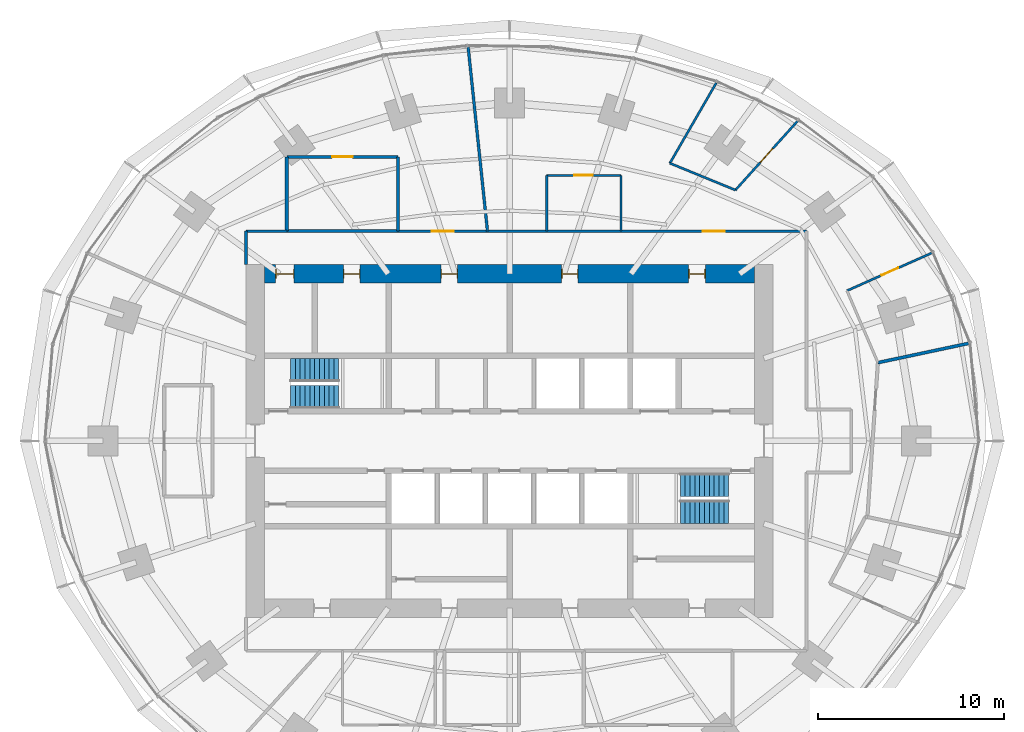
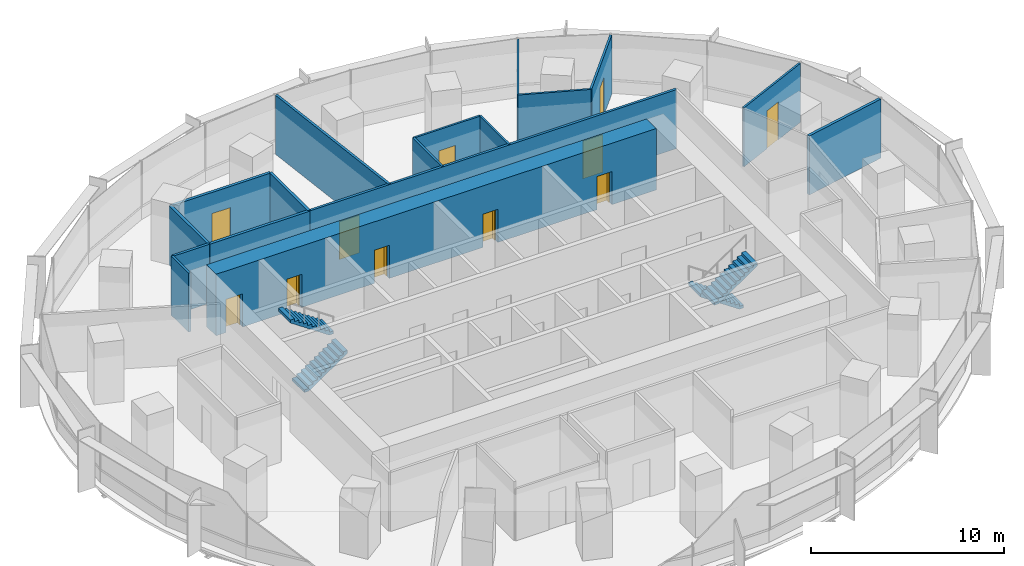
# One storey, part 12 of 14: 17 walls, 11 doors, 4 stair flights, 11 openings, 2 elements without a shape of their own.
"""IFC4 building model written with IfcOpenShell, lengths in metres."""

from ifc_helpers import new_model, si_unit, direction, frame, frame_2d, origin, place, context, subcontext, project, spatial, polyline, rectangle, outline, extrude, material, layer, layer_set, type_object, element, fill, aggregate, save


model = new_model("IFC4")

# Units and contexts
model_context = context("Model", 3, precision=1e-05, world=origin(), true_north=direction((0.0, 1.0)))
body_context = subcontext(model_context, "Body", "Model", "MODEL_VIEW")
ifc_project = project(units=[si_unit("LENGTHUNIT", "METRE"), si_unit("AREAUNIT", "SQUARE_METRE"), si_unit("VOLUMEUNIT", "CUBIC_METRE"), si_unit("PLANEANGLEUNIT", "RADIAN"), si_unit("MASSUNIT", "GRAM", prefix="KILO")], contexts=[model_context])

# Site, building, storey
site_placement = place(None, origin())
site = spatial("IfcSite", under=ifc_project, at=site_placement, CompositionType="ELEMENT")
building_placement = place(site_placement, origin())
building = spatial("IfcBuilding", under=site, at=building_placement, Name="Marramba Exchange Tower", CompositionType="ELEMENT")
storey_placement = place(building_placement, frame((0.0, 0.0, 127.5)))
storey = spatial("IfcBuildingStorey", under=building, at=storey_placement, Name="L30", CompositionType="ELEMENT", Elevation=127.5)

# Walls
ifc_material_1 = material(Name="Plasterboard on staggered double steel studs, acoustic insulation", Category="steel")
ifc_layer_1 = layer(ifc_material_1, 0.169921875)
ifc_layer_set_1 = layer_set([ifc_layer_1], Name="Acoustic partition 170")
wall_type_1 = type_object("IfcWallType", Name="Acoustic partition 170", PredefinedType="PARTITIONING", material=ifc_layer_set_1)
wall_1_placement = place(storey_placement, frame((24.73046875, 5.256591796875, 0.0), z_axis=(0.0, 0.0, 1.0), x_axis=(-0.978149046495, -0.207904888932, 0.0)))
element("IfcWall", 1, at=wall_1_placement, inside=storey, type_object=wall_type_1, Name="Acoustic partition L30 27", PredefinedType="PARTITIONING", context=body_context, shape_type="SweptSolid", body=[
    extrude(rectangle(XDim=5.000244140625, YDim=0.169921875, at=frame_2d((2.5, 0.0))), origin(), (0.0, 0.0, 1.0), 3.739990234375),
])
wall_2_placement = place(storey_placement, frame((-6.0, 11.300048828125, 0.0), z_axis=(0.0, 0.0, 1.0), x_axis=(0.0, 1.0, 0.0)))
element("IfcWall", 2, at=wall_2_placement, inside=storey, type_object=wall_type_1, Name="Acoustic partition L30 39", PredefinedType="PARTITIONING", context=body_context, shape_type="SweptSolid", body=[
    extrude(rectangle(XDim=4.0, YDim=0.169921875, at=frame_2d((2.0, 0.0))), origin(), (0.0, 0.0, 1.0), 3.739990234375),
])

# Wall, opening, door
wall_3_placement = place(storey_placement, frame((-6.0, 15.300048828125, 0.0), z_axis=(0.0, 0.0, 1.0), x_axis=(-1.0, 0.0, 0.0)))
wall_3 = element("IfcWall", 3, at=wall_3_placement, inside=storey, type_object=wall_type_1, Name="Acoustic partition L30 40", PredefinedType="PARTITIONING", context=body_context, shape_type="SweptSolid", body=[
    extrude(rectangle(XDim=6.0, YDim=0.169921875, at=frame_2d((3.0, 0.0))), origin(), (0.0, 0.0, 1.0), 3.739990234375),
])
opening_1_placement = place(wall_3_placement, frame((2.449951171875, 0.0, 0.0)))
opening_1 = element("IfcOpeningElement", 4, at=opening_1_placement, cuts=wall_3, Name="Opening D15", PredefinedType="OPENING", context=body_context, shape_type="SweptSolid", body=[
    extrude(rectangle(XDim=1.10009765625, YDim=2.39990234375, at=frame_2d((0.550048828125, 1.199951171875))), frame((0.0, 0.094970703125, 0.0), z_axis=(0.0, -1.0, 0.0), x_axis=(1.0, 0.0, 0.0)), (0.0, 0.0, 1.0), 0.18994140625),
])
ifc_material_2 = material(Name="Timber door", Category="wood")
door_type_1 = type_object("IfcDoorType", Name="Glazed meeting room door 1100x2400", OperationType="SINGLE_SWING_LEFT", PredefinedType="DOOR", material=ifc_material_2)
door_1_placement = place(opening_1_placement, origin())
door_1 = element("IfcDoor", 5, at=door_1_placement, inside=storey, type_object=door_type_1, Name="D15 Meeting Room 4 L30", OperationType="SINGLE_SWING_RIGHT", OverallHeight=2.39990234375, OverallWidth=1.10009765625, PredefinedType="DOOR", context=body_context, shape_type="SweptSolid", body=[
    extrude(rectangle(XDim=1.10009765625, YDim=2.39990234375, at=frame_2d((0.550048828125, 1.199951171875))), frame((0.0, 0.02490234375, 0.0), z_axis=(0.0, -1.0, 0.0), x_axis=(1.0, 0.0, 0.0)), (0.0, 0.0, 1.0), 0.050048828125),
])
fill(opening_1, door_1)

# Walls
wall_4_placement = place(storey_placement, frame((-12.0, 11.300048828125, 0.0), z_axis=(0.0, 0.0, 1.0), x_axis=(1.0, 0.0, 0.0)))
element("IfcWall", 6, at=wall_4_placement, inside=storey, type_object=wall_type_1, Name="Acoustic partition L30 41", PredefinedType="PARTITIONING", context=body_context, shape_type="SweptSolid", body=[
    extrude(rectangle(XDim=6.0, YDim=0.169921875, at=frame_2d((3.0, 0.0))), origin(), (0.0, 0.0, 1.0), 3.739990234375),
])
wall_5_placement = place(storey_placement, frame((-12.0, 15.300048828125, 0.0), z_axis=(0.0, 0.0, 1.0), x_axis=(0.0, -1.0, 0.0)))
element("IfcWall", 7, at=wall_5_placement, inside=storey, type_object=wall_type_1, Name="Acoustic partition L30 42", PredefinedType="PARTITIONING", context=body_context, shape_type="SweptSolid", body=[
    extrude(rectangle(XDim=4.0, YDim=0.169921875, at=frame_2d((2.0, 0.0))), origin(), (0.0, 0.0, 1.0), 3.739990234375),
])

# Wall, openings, doors
ifc_material_3 = material(Name="Concrete N50", Category="concrete")
ifc_layer_2 = layer(ifc_material_3, 1.0)
ifc_layer_set_2 = layer_set([ifc_layer_2], Name="Core wall 1000")
wall_type_2 = type_object("IfcWallType", Name="Core wall 1000", PredefinedType="SHEAR", material=ifc_layer_set_2)
wall_6_placement = place(storey_placement, frame((13.199951171875, 9.0, 0.0), z_axis=(0.0, 0.0, 1.0), x_axis=(-1.0, 0.0, 0.0)))
wall_6 = element("IfcWall", 8, at=wall_6_placement, inside=storey, type_object=wall_type_2, Name="Core wall N L30", PredefinedType="SHEAR", context=body_context, shape_type="SweptSolid", body=[
    extrude(rectangle(XDim=26.39990234375, YDim=1.0, at=frame_2d((13.199951171875, 0.0))), origin(), (0.0, 0.0, 1.0), 3.89990234375),
])
opening_2_placement = place(wall_6_placement, frame((2.64990234375, 0.0, 0.0)))
opening_2 = element("IfcOpeningElement", 9, at=opening_2_placement, cuts=wall_6, Name="Opening D5", PredefinedType="OPENING", context=body_context, shape_type="SweptSolid", body=[
    extrude(rectangle(XDim=0.89990234375, YDim=2.10009765625, at=frame_2d((0.449951171875, 1.050048828125))), frame((0.0, 0.510009765625, 0.0), z_axis=(0.0, -1.0, 0.0), x_axis=(1.0, 0.0, 0.0)), (0.0, 0.0, 1.0), 1.02001953125),
])
opening_3_placement = place(wall_6_placement, frame((9.5, 0.0, 0.0)))
opening_3 = element("IfcOpeningElement", 10, at=opening_3_placement, cuts=wall_6, Name="Opening D3", PredefinedType="OPENING", context=body_context, shape_type="SweptSolid", body=[
    extrude(rectangle(XDim=0.89990234375, YDim=2.10009765625, at=frame_2d((0.449951171875, 1.050048828125))), frame((0.0, 0.510009765625, 0.0), z_axis=(0.0, -1.0, 0.0), x_axis=(1.0, 0.0, 0.0)), (0.0, 0.0, 1.0), 1.02001953125),
])
opening_4_placement = place(wall_6_placement, frame((16.0, 0.0, 0.0)))
opening_4 = element("IfcOpeningElement", 11, at=opening_4_placement, cuts=wall_6, Name="Opening D3", PredefinedType="OPENING", context=body_context, shape_type="SweptSolid", body=[
    extrude(rectangle(XDim=0.89990234375, YDim=2.10009765625, at=frame_2d((0.449951171875, 1.050048828125))), frame((0.0, 0.510009765625, 0.0), z_axis=(0.0, -1.0, 0.0), x_axis=(1.0, 0.0, 0.0)), (0.0, 0.0, 1.0), 1.02001953125),
])
opening_5_placement = place(wall_6_placement, frame((21.25, 0.0, 0.0)))
opening_5 = element("IfcOpeningElement", 12, at=opening_5_placement, cuts=wall_6, Name="Opening D5", PredefinedType="OPENING", context=body_context, shape_type="SweptSolid", body=[
    extrude(rectangle(XDim=0.89990234375, YDim=2.10009765625, at=frame_2d((0.449951171875, 1.050048828125))), frame((0.0, 0.510009765625, 0.0), z_axis=(0.0, -1.0, 0.0), x_axis=(1.0, 0.0, 0.0)), (0.0, 0.0, 1.0), 1.02001953125),
])
opening_6_placement = place(wall_6_placement, frame((24.800048828125, 0.0, 0.0)))
opening_6 = element("IfcOpeningElement", 13, at=opening_6_placement, cuts=wall_6, Name="Opening D4", PredefinedType="OPENING", context=body_context, shape_type="SweptSolid", body=[
    extrude(rectangle(XDim=1.0, YDim=2.10009765625, at=frame_2d((0.5, 1.050048828125))), frame((0.0, 0.510009765625, 0.0), z_axis=(0.0, -1.0, 0.0), x_axis=(1.0, 0.0, 0.0)), (0.0, 0.0, 1.0), 1.02001953125),
])
ifc_material_4 = material(Name="Steel-framed door", Category="steel")
door_type_2 = type_object("IfcDoorType", Name="Accessible toilet door 1000x2100", OperationType="SINGLE_SWING_LEFT", PredefinedType="DOOR", material=ifc_material_4)
door_2_placement = place(opening_6_placement, origin())
door_2 = element("IfcDoor", 14, at=door_2_placement, inside=storey, type_object=door_type_2, Name="D4 awc L30", OperationType="SINGLE_SWING_RIGHT", OverallHeight=2.10009765625, OverallWidth=1.0, PredefinedType="DOOR", context=body_context, shape_type="SweptSolid", body=[
    extrude(rectangle(XDim=0.919921875, YDim=2.06005859375, at=frame_2d((0.5, 1.030029296875))), frame((0.0, 0.02490234375, 0.0), z_axis=(0.0, -1.0, 0.0), x_axis=(1.0, 0.0, 0.0)), (0.0, 0.0, 1.0), 0.050048828125),
    extrude(rectangle(XDim=0.04, YDim=2.10009765625, at=frame_2d((0.02001953125, 1.050048828125))), frame((0.0, 0.25, 0.0), z_axis=(0.0, -1.0, 0.0), x_axis=(1.0, 0.0, 0.0)), (0.0, 0.0, 1.0), 0.5),
    extrude(rectangle(XDim=0.04, YDim=2.10009765625, at=frame_2d((0.97998046875, 1.050048828125))), frame((0.0, 0.25, 0.0), z_axis=(0.0, -1.0, 0.0), x_axis=(1.0, 0.0, 0.0)), (0.0, 0.0, 1.0), 0.5),
    extrude(rectangle(XDim=0.919921875, YDim=0.04, at=frame_2d((0.5, 2.080078125))), frame((0.0, 0.25, 0.0), z_axis=(0.0, -1.0, 0.0), x_axis=(1.0, 0.0, 0.0)), (0.0, 0.0, 1.0), 0.5),
])
fill(opening_6, door_2)
door_type_3 = type_object("IfcDoorType", Name="Service door 900x2100", OperationType="SINGLE_SWING_LEFT", PredefinedType="DOOR", material=ifc_material_4)
door_3_placement = place(opening_2_placement, origin())
door_3 = element("IfcDoor", 15, at=door_3_placement, inside=storey, type_object=door_type_3, Name="D5 comms L30", OperationType="SINGLE_SWING_LEFT", OverallHeight=2.10009765625, OverallWidth=0.89990234375, PredefinedType="DOOR", context=body_context, shape_type="SweptSolid", body=[
    extrude(rectangle(XDim=0.81982421875, YDim=2.06005859375, at=frame_2d((0.449951171875, 1.030029296875))), frame((0.0, 0.02490234375, 0.0), z_axis=(0.0, -1.0, 0.0), x_axis=(1.0, 0.0, 0.0)), (0.0, 0.0, 1.0), 0.050048828125),
    extrude(rectangle(XDim=0.04, YDim=2.10009765625, at=frame_2d((0.02001953125, 1.050048828125))), frame((0.0, 0.25, 0.0), z_axis=(0.0, -1.0, 0.0), x_axis=(1.0, 0.0, 0.0)), (0.0, 0.0, 1.0), 0.5),
    extrude(rectangle(XDim=0.04, YDim=2.10009765625, at=frame_2d((0.8798828125, 1.050048828125))), frame((0.0, 0.25, 0.0), z_axis=(0.0, -1.0, 0.0), x_axis=(1.0, 0.0, 0.0)), (0.0, 0.0, 1.0), 0.5),
    extrude(rectangle(XDim=0.81982421875, YDim=0.04, at=frame_2d((0.449951171875, 2.080078125))), frame((0.0, 0.25, 0.0), z_axis=(0.0, -1.0, 0.0), x_axis=(1.0, 0.0, 0.0)), (0.0, 0.0, 1.0), 0.5),
])
fill(opening_2, door_3)
door_4_placement = place(opening_5_placement, origin())
door_4 = element("IfcDoor", 16, at=door_4_placement, inside=storey, type_object=door_type_3, Name="D5 cleaner L30", OperationType="SINGLE_SWING_RIGHT", OverallHeight=2.10009765625, OverallWidth=0.89990234375, PredefinedType="DOOR", context=body_context, shape_type="SweptSolid", body=[
    extrude(rectangle(XDim=0.81982421875, YDim=2.06005859375, at=frame_2d((0.449951171875, 1.030029296875))), frame((0.0, 0.02490234375, 0.0), z_axis=(0.0, -1.0, 0.0), x_axis=(1.0, 0.0, 0.0)), (0.0, 0.0, 1.0), 0.050048828125),
    extrude(rectangle(XDim=0.04, YDim=2.10009765625, at=frame_2d((0.02001953125, 1.050048828125))), frame((0.0, 0.25, 0.0), z_axis=(0.0, -1.0, 0.0), x_axis=(1.0, 0.0, 0.0)), (0.0, 0.0, 1.0), 0.5),
    extrude(rectangle(XDim=0.04, YDim=2.10009765625, at=frame_2d((0.8798828125, 1.050048828125))), frame((0.0, 0.25, 0.0), z_axis=(0.0, -1.0, 0.0), x_axis=(1.0, 0.0, 0.0)), (0.0, 0.0, 1.0), 0.5),
    extrude(rectangle(XDim=0.81982421875, YDim=0.04, at=frame_2d((0.449951171875, 2.080078125))), frame((0.0, 0.25, 0.0), z_axis=(0.0, -1.0, 0.0), x_axis=(1.0, 0.0, 0.0)), (0.0, 0.0, 1.0), 0.5),
])
fill(opening_5, door_4)
door_type_4 = type_object("IfcDoorType", Name="Toilet door 900x2100", OperationType="SINGLE_SWING_LEFT", PredefinedType="DOOR", material=ifc_material_4)
door_5_placement = place(opening_3_placement, origin())
door_5 = element("IfcDoor", 17, at=door_5_placement, inside=storey, type_object=door_type_4, Name="D3 wc-f L30", OperationType="SINGLE_SWING_RIGHT", OverallHeight=2.10009765625, OverallWidth=0.89990234375, PredefinedType="DOOR", context=body_context, shape_type="SweptSolid", body=[
    extrude(rectangle(XDim=0.81982421875, YDim=2.06005859375, at=frame_2d((0.449951171875, 1.030029296875))), frame((0.0, 0.02490234375, 0.0), z_axis=(0.0, -1.0, 0.0), x_axis=(1.0, 0.0, 0.0)), (0.0, 0.0, 1.0), 0.050048828125),
    extrude(rectangle(XDim=0.04, YDim=2.10009765625, at=frame_2d((0.02001953125, 1.050048828125))), frame((0.0, 0.25, 0.0), z_axis=(0.0, -1.0, 0.0), x_axis=(1.0, 0.0, 0.0)), (0.0, 0.0, 1.0), 0.5),
    extrude(rectangle(XDim=0.04, YDim=2.10009765625, at=frame_2d((0.8798828125, 1.050048828125))), frame((0.0, 0.25, 0.0), z_axis=(0.0, -1.0, 0.0), x_axis=(1.0, 0.0, 0.0)), (0.0, 0.0, 1.0), 0.5),
    extrude(rectangle(XDim=0.81982421875, YDim=0.04, at=frame_2d((0.449951171875, 2.080078125))), frame((0.0, 0.25, 0.0), z_axis=(0.0, -1.0, 0.0), x_axis=(1.0, 0.0, 0.0)), (0.0, 0.0, 1.0), 0.5),
])
fill(opening_3, door_5)
door_6_placement = place(opening_4_placement, origin())
door_6 = element("IfcDoor", 18, at=door_6_placement, inside=storey, type_object=door_type_4, Name="D3 wc-m L30", OperationType="SINGLE_SWING_RIGHT", OverallHeight=2.10009765625, OverallWidth=0.89990234375, PredefinedType="DOOR", context=body_context, shape_type="SweptSolid", body=[
    extrude(rectangle(XDim=0.81982421875, YDim=2.06005859375, at=frame_2d((0.449951171875, 1.030029296875))), frame((0.0, 0.02490234375, 0.0), z_axis=(0.0, -1.0, 0.0), x_axis=(1.0, 0.0, 0.0)), (0.0, 0.0, 1.0), 0.050048828125),
    extrude(rectangle(XDim=0.04, YDim=2.10009765625, at=frame_2d((0.02001953125, 1.050048828125))), frame((0.0, 0.25, 0.0), z_axis=(0.0, -1.0, 0.0), x_axis=(1.0, 0.0, 0.0)), (0.0, 0.0, 1.0), 0.5),
    extrude(rectangle(XDim=0.04, YDim=2.10009765625, at=frame_2d((0.8798828125, 1.050048828125))), frame((0.0, 0.25, 0.0), z_axis=(0.0, -1.0, 0.0), x_axis=(1.0, 0.0, 0.0)), (0.0, 0.0, 1.0), 0.5),
    extrude(rectangle(XDim=0.81982421875, YDim=0.04, at=frame_2d((0.449951171875, 2.080078125))), frame((0.0, 0.25, 0.0), z_axis=(0.0, -1.0, 0.0), x_axis=(1.0, 0.0, 0.0)), (0.0, 0.0, 1.0), 0.5),
])
fill(opening_4, door_6)

# Wall, opening, door
ifc_material_5 = material(Name="Plasterboard on steel studs", Category="steel")
ifc_layer_3 = layer(ifc_material_5, 0.1201171875)
ifc_layer_set_3 = layer_set([ifc_layer_3], Name="Partition 120")
wall_type_3 = type_object("IfcWallType", Name="Partition 120", PredefinedType="PARTITIONING", material=ifc_layer_set_3)
wall_7_placement = place(storey_placement, frame((22.7421875, 10.12548828125, 0.0), z_axis=(0.0, 0.0, 1.0), x_axis=(-0.913541529049, -0.406745466726, 0.0)))
wall_7 = element("IfcWall", 19, at=wall_7_placement, inside=storey, type_object=wall_type_3, Name="Partition L30 30", PredefinedType="PARTITIONING", context=body_context, shape_type="SweptSolid", body=[
    extrude(rectangle(XDim=5.0, YDim=0.1201171875, at=frame_2d((2.5, 0.0))), origin(), (0.0, 0.0, 1.0), 3.739990234375),
])
opening_7_placement = place(wall_7_placement, frame((1.97509765625, 0.0, 0.0)))
opening_7 = element("IfcOpeningElement", 20, at=opening_7_placement, cuts=wall_7, Name="Opening D9", PredefinedType="OPENING", context=body_context, shape_type="SweptSolid", body=[
    extrude(rectangle(XDim=1.0, YDim=2.39990234375, at=frame_2d((0.5, 1.199951171875))), frame((0.0, 0.070068359375, 0.0), z_axis=(0.0, -1.0, 0.0), x_axis=(1.0, 0.0, 0.0)), (0.0, 0.0, 1.0), 0.14013671875),
])
door_type_5 = type_object("IfcDoorType", Name="Room door 1000x2400", OperationType="SINGLE_SWING_LEFT", PredefinedType="DOOR", material=ifc_material_2)
door_7_placement = place(opening_7_placement, origin())
door_7 = element("IfcDoor", 21, at=door_7_placement, inside=storey, type_object=door_type_5, Name="D9 Office 1 L30", OperationType="SINGLE_SWING_RIGHT", OverallHeight=2.39990234375, OverallWidth=1.0, PredefinedType="DOOR", context=body_context, shape_type="SweptSolid", body=[
    extrude(rectangle(XDim=1.0, YDim=2.39990234375, at=frame_2d((0.5, 1.199951171875))), frame((0.0, 0.02490234375, 0.0), z_axis=(0.0, -1.0, 0.0), x_axis=(1.0, 0.0, 0.0)), (0.0, 0.0, 1.0), 0.050048828125),
])
fill(opening_7, door_7)

wall_8_placement = place(storey_placement, frame((12.166748046875, 13.512451171875, 0.0), z_axis=(0.0, 0.0, 1.0), x_axis=(0.669126573551, 0.743148456614, 0.0)))
wall_8 = element("IfcWall", 22, at=wall_8_placement, inside=storey, type_object=wall_type_3, Name="Partition L30 31", PredefinedType="PARTITIONING", context=body_context, shape_type="SweptSolid", body=[
    extrude(rectangle(XDim=5.0, YDim=0.1201171875, at=frame_2d((2.5, 0.0))), origin(), (0.0, 0.0, 1.0), 3.739990234375),
])
opening_8_placement = place(wall_8_placement, frame((2.0, 0.0, 0.0)))
opening_8 = element("IfcOpeningElement", 23, at=opening_8_placement, cuts=wall_8, Name="Opening D9", PredefinedType="OPENING", context=body_context, shape_type="SweptSolid", body=[
    extrude(rectangle(XDim=1.0, YDim=2.39990234375, at=frame_2d((0.5, 1.199951171875))), frame((0.0, 0.070068359375, 0.0), z_axis=(0.0, -1.0, 0.0), x_axis=(1.0, 0.0, 0.0)), (0.0, 0.0, 1.0), 0.14013671875),
])
door_8_placement = place(opening_8_placement, origin())
door_8 = element("IfcDoor", 24, at=door_8_placement, inside=storey, type_object=door_type_5, Name="D9 Office 2 L30", OperationType="SINGLE_SWING_RIGHT", OverallHeight=2.39990234375, OverallWidth=1.0, PredefinedType="DOOR", context=body_context, shape_type="SweptSolid", body=[
    extrude(rectangle(XDim=1.0, YDim=2.39990234375, at=frame_2d((0.5, 1.199951171875))), frame((0.0, 0.02490234375, 0.0), z_axis=(0.0, -1.0, 0.0), x_axis=(1.0, 0.0, 0.0)), (0.0, 0.0, 1.0), 0.050048828125),
])
fill(opening_8, door_8)

# Walls
wall_9_placement = place(storey_placement, frame((8.63671875, 14.958984375, 0.0), z_axis=(0.0, 0.0, 1.0), x_axis=(0.925323544258, -0.379178504719, 0.0)))
element("IfcWall", 25, at=wall_9_placement, inside=storey, type_object=wall_type_3, Name="Partition L30 32", PredefinedType="PARTITIONING", context=body_context, shape_type="SweptSolid", body=[
    extrude(rectangle(XDim=3.81494140625, YDim=0.1201171875, at=frame_2d((1.907470703125, 0.0))), origin(), (0.0, 0.0, 1.0), 3.739990234375),
])
wall_10_placement = place(storey_placement, frame((11.13671875, 19.289306640625, 0.0), z_axis=(0.0, 0.0, 1.0), x_axis=(-0.499983091616, -0.866035165624, 0.0)))
element("IfcWall", 26, at=wall_10_placement, inside=storey, type_object=wall_type_3, Name="Partition L30 33", PredefinedType="PARTITIONING", context=body_context, shape_type="SweptSolid", body=[
    extrude(rectangle(XDim=5.000244140625, YDim=0.1201171875, at=frame_2d((2.5, 0.0))), origin(), (0.0, 0.0, 1.0), 3.739990234375),
])
wall_11_placement = place(storey_placement, frame((6.0, 11.300048828125, 0.0), z_axis=(0.0, 0.0, 1.0), x_axis=(0.0, 1.0, 0.0)))
element("IfcWall", 27, at=wall_11_placement, inside=storey, type_object=wall_type_3, Name="Partition L30 34", PredefinedType="PARTITIONING", context=body_context, shape_type="SweptSolid", body=[
    extrude(rectangle(XDim=3.0, YDim=0.1201171875, at=frame_2d((1.5, 0.0))), origin(), (0.0, 0.0, 1.0), 3.739990234375),
])

# Wall, opening, door
wall_12_placement = place(storey_placement, frame((6.0, 14.300048828125, 0.0), z_axis=(0.0, 0.0, 1.0), x_axis=(-1.0, 0.0, 0.0)))
wall_12 = element("IfcWall", 28, at=wall_12_placement, inside=storey, type_object=wall_type_3, Name="Partition L30 36", PredefinedType="PARTITIONING", context=body_context, shape_type="SweptSolid", body=[
    extrude(rectangle(XDim=4.0, YDim=0.1201171875, at=frame_2d((2.0, 0.0))), origin(), (0.0, 0.0, 1.0), 3.739990234375),
])
opening_9_placement = place(wall_12_placement, frame((1.52587890625, 0.0, 0.0)))
opening_9 = element("IfcOpeningElement", 29, at=opening_9_placement, cuts=wall_12, Name="Opening D9", PredefinedType="OPENING", context=body_context, shape_type="SweptSolid", body=[
    extrude(rectangle(XDim=1.0, YDim=2.39990234375, at=frame_2d((0.5, 1.199951171875))), frame((0.0, 0.070068359375, 0.0), z_axis=(0.0, -1.0, 0.0), x_axis=(1.0, 0.0, 0.0)), (0.0, 0.0, 1.0), 0.14013671875),
])
door_9_placement = place(opening_9_placement, origin())
door_9 = element("IfcDoor", 30, at=door_9_placement, inside=storey, type_object=door_type_5, Name="D9 Tea Point L30", OperationType="SINGLE_SWING_RIGHT", OverallHeight=2.39990234375, OverallWidth=1.0, PredefinedType="DOOR", context=body_context, shape_type="SweptSolid", body=[
    extrude(rectangle(XDim=1.0, YDim=2.39990234375, at=frame_2d((0.5, 1.199951171875))), frame((0.0, 0.02490234375, 0.0), z_axis=(0.0, -1.0, 0.0), x_axis=(1.0, 0.0, 0.0)), (0.0, 0.0, 1.0), 0.050048828125),
])
fill(opening_9, door_9)

# Wall
wall_13_placement = place(storey_placement, frame((2.0, 14.300048828125, 0.0), z_axis=(0.0, 0.0, 1.0), x_axis=(0.0, -1.0, 0.0)))
element("IfcWall", 31, at=wall_13_placement, inside=storey, type_object=wall_type_3, Name="Partition L30 37", PredefinedType="PARTITIONING", context=body_context, shape_type="SweptSolid", body=[
    extrude(rectangle(XDim=3.0, YDim=0.1201171875, at=frame_2d((1.5, 0.0))), origin(), (0.0, 0.0, 1.0), 3.739990234375),
])

# Wall, openings, doors
ifc_material_6 = material(Name="Fire-rated plasterboard on steel studs, acoustic insulation", Category="steel")
ifc_layer_4 = layer(ifc_material_6, 0.14990234375)
ifc_layer_set_4 = layer_set([ifc_layer_4], Name="Tenancy wall 150")
wall_type_4 = type_object("IfcWallType", Name="Tenancy wall 150", PredefinedType="PARTITIONING", material=ifc_layer_set_4)
wall_14_placement = place(storey_placement, frame((16.0, 11.300048828125, 0.0), z_axis=(0.0, 0.0, 1.0), x_axis=(-1.0, 0.0, 0.0)))
wall_14 = element("IfcWall", 32, at=wall_14_placement, inside=storey, type_object=wall_type_4, Name="Tenancy wall L30 35", PredefinedType="PARTITIONING", context=body_context, shape_type="SweptSolid", body=[
    extrude(rectangle(XDim=22.0, YDim=0.14990234375, at=frame_2d((11.0, 0.0))), origin(), (0.0, 0.0, 1.0), 3.739990234375),
])
opening_10_placement = place(wall_14_placement, frame((4.39990234375, 0.0, 0.0)))
opening_10 = element("IfcOpeningElement", 33, at=opening_10_placement, cuts=wall_14, Name="Opening D13", PredefinedType="OPENING", context=body_context, shape_type="SweptSolid", body=[
    extrude(rectangle(XDim=1.199951171875, YDim=2.39990234375, at=frame_2d((0.60009765625, 1.199951171875))), frame((0.0, 0.0849609375, 0.0), z_axis=(0.0, -1.0, 0.0), x_axis=(1.0, 0.0, 0.0)), (0.0, 0.0, 1.0), 0.169921875),
])
opening_11_placement = place(wall_14_placement, frame((18.993896484375, 0.0, 0.0)))
opening_11 = element("IfcOpeningElement", 34, at=opening_11_placement, cuts=wall_14, Name="Opening D13", PredefinedType="OPENING", context=body_context, shape_type="SweptSolid", body=[
    extrude(rectangle(XDim=1.199951171875, YDim=2.39990234375, at=frame_2d((0.60009765625, 1.199951171875))), frame((0.0, 0.0849609375, 0.0), z_axis=(0.0, -1.0, 0.0), x_axis=(1.0, 0.0, 0.0)), (0.0, 0.0, 1.0), 0.169921875),
])
door_type_6 = type_object("IfcDoorType", Name="Tenancy entry door 1200x2400", OperationType="SINGLE_SWING_LEFT", PredefinedType="DOOR", material=ifc_material_4)
door_10_placement = place(opening_10_placement, origin())
door_10 = element("IfcDoor", 35, at=door_10_placement, inside=storey, type_object=door_type_6, Name="D13 Office 1 L30", OperationType="SINGLE_SWING_LEFT", OverallHeight=2.39990234375, OverallWidth=1.199951171875, PredefinedType="DOOR", context=body_context, shape_type="SweptSolid", body=[
    extrude(rectangle(XDim=1.199951171875, YDim=2.39990234375, at=frame_2d((0.60009765625, 1.199951171875))), frame((0.0, 0.02490234375, 0.0), z_axis=(0.0, -1.0, 0.0), x_axis=(1.0, 0.0, 0.0)), (0.0, 0.0, 1.0), 0.050048828125),
])
fill(opening_10, door_10)
door_11_placement = place(opening_11_placement, origin())
door_11 = element("IfcDoor", 36, at=door_11_placement, inside=storey, type_object=door_type_6, Name="D13 Office 2 L30", OperationType="SINGLE_SWING_RIGHT", OverallHeight=2.39990234375, OverallWidth=1.199951171875, PredefinedType="DOOR", context=body_context, shape_type="SweptSolid", body=[
    extrude(rectangle(XDim=1.199951171875, YDim=2.39990234375, at=frame_2d((0.60009765625, 1.199951171875))), frame((0.0, 0.02490234375, 0.0), z_axis=(0.0, -1.0, 0.0), x_axis=(1.0, 0.0, 0.0)), (0.0, 0.0, 1.0), 0.050048828125),
])
fill(opening_11, door_11)

# Walls
wall_15_placement = place(storey_placement, frame((-1.187744140625, 11.300048828125, 0.0), z_axis=(0.0, 0.0, 1.0), x_axis=(-0.104522843542, 0.994522486009, 0.0)))
element("IfcWall", 37, at=wall_15_placement, inside=storey, type_object=wall_type_4, Name="Tenancy wall L30 38", PredefinedType="PARTITIONING", context=body_context, shape_type="SweptSolid", body=[
    extrude(rectangle(XDim=9.966796875, YDim=0.14990234375, at=frame_2d((4.9833984375, 0.0))), origin(), (0.0, 0.0, 1.0), 3.739990234375),
])
wall_16_placement = place(storey_placement, frame((-12.0, 11.300048828125, 0.0), z_axis=(0.0, 0.0, 1.0), x_axis=(-1.0, 0.0, 0.0)))
element("IfcWall", 38, at=wall_16_placement, inside=storey, type_object=wall_type_4, Name="Tenancy wall L30 43", PredefinedType="PARTITIONING", context=body_context, shape_type="SweptSolid", body=[
    extrude(rectangle(XDim=2.199951171875, YDim=0.14990234375, at=frame_2d((1.10009765625, 0.0))), origin(), (0.0, 0.0, 1.0), 3.739990234375),
])
wall_17_placement = place(storey_placement, frame((-14.199951171875, 11.300048828125, 0.0), z_axis=(0.0, 0.0, 1.0), x_axis=(0.0, -1.0, 0.0)))
element("IfcWall", 39, at=wall_17_placement, inside=storey, type_object=wall_type_4, Name="Tenancy wall L30 44", PredefinedType="PARTITIONING", context=body_context, shape_type="SweptSolid", body=[
    extrude(rectangle(XDim=1.800048828125, YDim=0.14990234375, at=frame_2d((0.89990234375, 0.0))), origin(), (0.0, 0.0, 1.0), 3.739990234375),
])

# Stair, stair flights
ifc_material_7 = material(Name="Concrete N40 (40 MPa)", Category="concrete")
stair_type_1 = type_object("IfcStairType", Name="Exit stair ST1 3900 x 1250", PredefinedType="HALF_TURN_STAIR", material=ifc_material_7)
stair_1_placement = place(storey_placement, origin())
stair_1 = element("IfcStair", 40, at=stair_1_placement, inside=storey, type_object=stair_type_1, Name="Exit stair ST1 L30", PredefinedType="HALF_TURN_STAIR")
stair_flight_type_1 = type_object("IfcStairFlightType", Name="ST1 stair flight 1773 riser 1250 wide", PredefinedType="STRAIGHT", material=ifc_material_7)
stair_flight_1_placement = place(storey_placement, frame((-11.800048828125, 2.375, 0.0), z_axis=(0.0, 0.0, 1.0), x_axis=(1.0, 0.0, 0.0)))
stair_flight_1 = element("IfcStairFlight", 41, at=stair_flight_1_placement, type_object=stair_flight_type_1, Name="ST1 flight 1", NumberOfRisers=11, NumberOfTreads=10, PredefinedType="STRAIGHT", RiserHeight=0.177272727, TreadLength=0.26, context=body_context, shape_type="SweptSolid", body=[
    extrude(outline(polyline([(0.0, 0.0), (0.0, 0.17724609375), (0.260009765625, 0.17724609375), (0.260009765625, 0.3544921875), (0.52001953125, 0.3544921875), (0.52001953125, 0.53173828125), (0.780029296875, 0.53173828125), (0.780029296875, 0.708984375), (1.0400390625, 0.708984375), (1.0400390625, 0.886474609375), (1.300048828125, 0.886474609375), (1.300048828125, 1.063720703125), (1.56005859375, 1.063720703125), (1.56005859375, 1.240966796875), (1.820068359375, 1.240966796875), (1.820068359375, 1.418212890625), (2.080078125, 1.418212890625), (2.080078125, 1.595458984375), (2.340087890625, 1.595458984375), (2.340087890625, 1.772705078125), (2.60009765625, 1.772705078125), (2.60009765625, 1.949951171875), (2.60009765625, 1.59130859375), (0.26611328125, 0.0), (0.0, 0.0)])), frame((0.0, 0.625, 0.0), z_axis=(0.0, -1.0, 0.0), x_axis=(1.0, 0.0, 0.0)), (0.0, 0.0, 1.0), 1.25),
])
stair_flight_2_placement = place(storey_placement, frame((-9.199951171875, 3.824951171875, 1.949951171875), z_axis=(0.0, 0.0, 1.0), x_axis=(-1.0, 0.0, 0.0)))
stair_flight_2 = element("IfcStairFlight", 42, at=stair_flight_2_placement, type_object=stair_flight_type_1, Name="ST1 flight 2", NumberOfRisers=11, NumberOfTreads=10, PredefinedType="STRAIGHT", RiserHeight=0.177272727, TreadLength=0.26, context=body_context, shape_type="SweptSolid", body=[
    extrude(outline(polyline([(0.0, 0.0), (0.0, 0.17724609375), (0.260009765625, 0.17724609375), (0.260009765625, 0.3544921875), (0.52001953125, 0.3544921875), (0.52001953125, 0.53173828125), (0.780029296875, 0.53173828125), (0.780029296875, 0.708984375), (1.0400390625, 0.708984375), (1.0400390625, 0.886474609375), (1.300048828125, 0.886474609375), (1.300048828125, 1.063720703125), (1.56005859375, 1.063720703125), (1.56005859375, 1.240966796875), (1.820068359375, 1.240966796875), (1.820068359375, 1.418212890625), (2.080078125, 1.418212890625), (2.080078125, 1.595458984375), (2.340087890625, 1.595458984375), (2.340087890625, 1.772705078125), (2.60009765625, 1.772705078125), (2.60009765625, 1.949951171875), (2.60009765625, 1.59130859375), (0.26611328125, 0.0), (0.0, 0.0)])), frame((0.0, 0.625, 0.0), z_axis=(0.0, -1.0, 0.0), x_axis=(1.0, 0.0, 0.0)), (0.0, 0.0, 1.0), 1.25),
])
aggregate(stair_1, [stair_flight_1, stair_flight_2])

stair_type_2 = type_object("IfcStairType", Name="Exit stair ST2 3900 x 1250", PredefinedType="HALF_TURN_STAIR", material=ifc_material_7)
stair_2_placement = place(storey_placement, origin())
stair_2 = element("IfcStair", 43, at=stair_2_placement, inside=storey, type_object=stair_type_2, Name="Exit stair ST2 L30", PredefinedType="HALF_TURN_STAIR")
stair_flight_type_2 = type_object("IfcStairFlightType", Name="ST2 stair flight 1773 riser 1250 wide", PredefinedType="STRAIGHT", material=ifc_material_7)
stair_flight_3_placement = place(storey_placement, frame((11.800048828125, -2.375, 0.0), z_axis=(0.0, 0.0, 1.0), x_axis=(-1.0, 0.0, 0.0)))
stair_flight_3 = element("IfcStairFlight", 44, at=stair_flight_3_placement, type_object=stair_flight_type_2, Name="ST2 flight 1", NumberOfRisers=11, NumberOfTreads=10, PredefinedType="STRAIGHT", RiserHeight=0.177272727, TreadLength=0.26, context=body_context, shape_type="SweptSolid", body=[
    extrude(outline(polyline([(0.0, 0.0), (0.0, 0.17724609375), (0.260009765625, 0.17724609375), (0.260009765625, 0.3544921875), (0.52001953125, 0.3544921875), (0.52001953125, 0.53173828125), (0.780029296875, 0.53173828125), (0.780029296875, 0.708984375), (1.0400390625, 0.708984375), (1.0400390625, 0.886474609375), (1.300048828125, 0.886474609375), (1.300048828125, 1.063720703125), (1.56005859375, 1.063720703125), (1.56005859375, 1.240966796875), (1.820068359375, 1.240966796875), (1.820068359375, 1.418212890625), (2.080078125, 1.418212890625), (2.080078125, 1.595458984375), (2.340087890625, 1.595458984375), (2.340087890625, 1.772705078125), (2.60009765625, 1.772705078125), (2.60009765625, 1.949951171875), (2.60009765625, 1.59130859375), (0.26611328125, 0.0), (0.0, 0.0)])), frame((0.0, 0.625, 0.0), z_axis=(0.0, -1.0, 0.0), x_axis=(1.0, 0.0, 0.0)), (0.0, 0.0, 1.0), 1.25),
])
stair_flight_4_placement = place(storey_placement, frame((9.199951171875, -3.824951171875, 1.949951171875), z_axis=(0.0, 0.0, 1.0), x_axis=(1.0, 0.0, 0.0)))
stair_flight_4 = element("IfcStairFlight", 45, at=stair_flight_4_placement, type_object=stair_flight_type_2, Name="ST2 flight 2", NumberOfRisers=11, NumberOfTreads=10, PredefinedType="STRAIGHT", RiserHeight=0.177272727, TreadLength=0.26, context=body_context, shape_type="SweptSolid", body=[
    extrude(outline(polyline([(0.0, 0.0), (0.0, 0.17724609375), (0.260009765625, 0.17724609375), (0.260009765625, 0.3544921875), (0.52001953125, 0.3544921875), (0.52001953125, 0.53173828125), (0.780029296875, 0.53173828125), (0.780029296875, 0.708984375), (1.0400390625, 0.708984375), (1.0400390625, 0.886474609375), (1.300048828125, 0.886474609375), (1.300048828125, 1.063720703125), (1.56005859375, 1.063720703125), (1.56005859375, 1.240966796875), (1.820068359375, 1.240966796875), (1.820068359375, 1.418212890625), (2.080078125, 1.418212890625), (2.080078125, 1.595458984375), (2.340087890625, 1.595458984375), (2.340087890625, 1.772705078125), (2.60009765625, 1.772705078125), (2.60009765625, 1.949951171875), (2.60009765625, 1.59130859375), (0.26611328125, 0.0), (0.0, 0.0)])), frame((0.0, 0.625, 0.0), z_axis=(0.0, -1.0, 0.0), x_axis=(1.0, 0.0, 0.0)), (0.0, 0.0, 1.0), 1.25),
])
aggregate(stair_2, [stair_flight_3, stair_flight_4])

save(model, "model.ifc")
